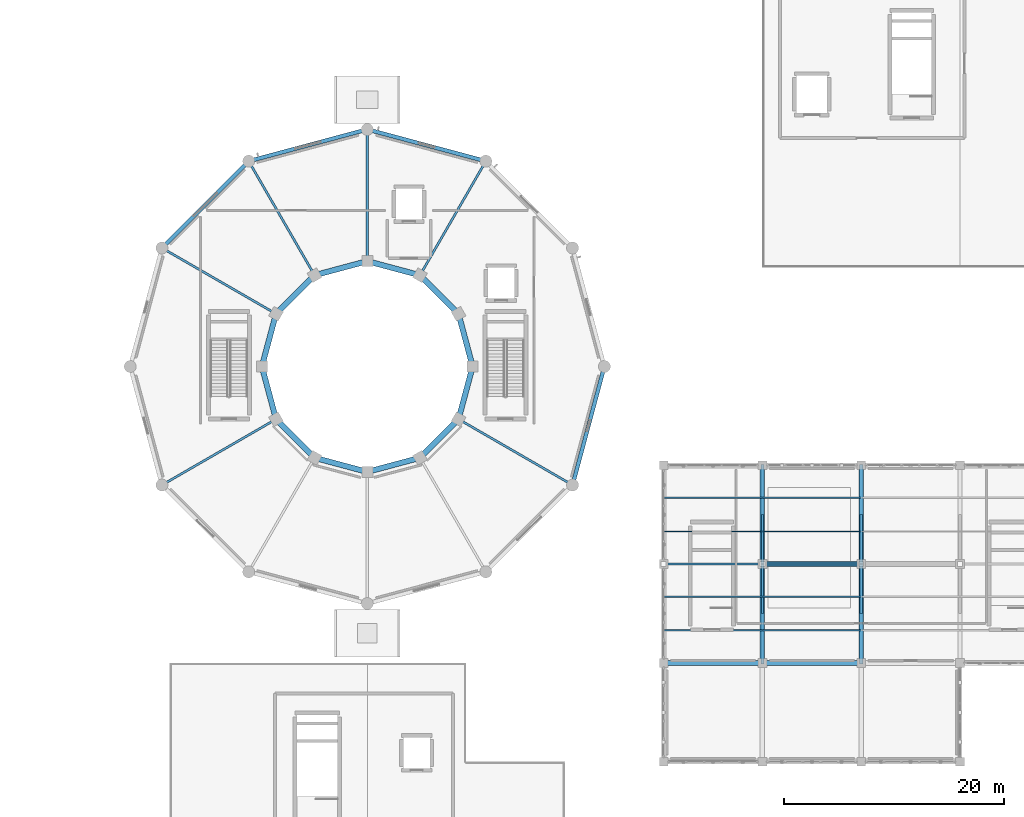
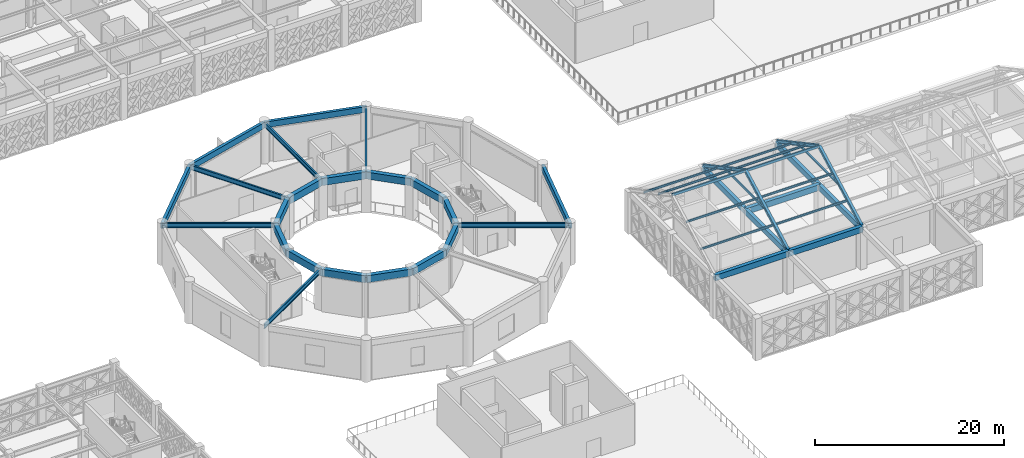
# One storey, part 27 of 86: 29 beams, 16 members.
"""IFC4 building model written with IfcOpenShell, lengths in metres."""

import ifcopenshell
import ifcopenshell.guid

model = None  # the IFC model being written
_history = None  # IfcOwnerHistory: only IFC2X3 demands one
_inside = {}  # id of a spatial element -> (the spatial element, [elements in it])
_under = {}  # id of a project, library or spatial element -> (it, [spatial elements below it])
_declared = {}  # id of a project -> (the project, [libraries it declares])
_typed = {}  # id of a type object -> (the type object, [elements of that type])
_made_of = {}  # id of a material, layer set ... -> (it, [elements and type objects made of it])


def new_model(schema):
    """Start an empty IFC model of exactly this schema.

    Asked for "IFC4X3", IfcOpenShell would pick the latest addendum, in which some entities
    have other attributes; the version numbers below select the first issue.
    IFC2X3 requires an IfcOwnerHistory on every rooted entity: one is made here for all.
    """
    global model, _history
    if schema == "IFC4X3":
        model = ifcopenshell.file(schema_version=(4, 3, 0, 0))
    else:
        model = ifcopenshell.file(schema=schema)
    _inside.clear()
    _under.clear()
    _declared.clear()
    _typed.clear()
    _made_of.clear()
    _history = None
    if model.schema == "IFC2X3":
        org = make("IfcOrganization", Name="unknown")
        user = make(
            "IfcPersonAndOrganization",
            ThePerson=make("IfcPerson", FamilyName="unknown"),
            TheOrganization=org,
        )
        app = make(
            "IfcApplication",
            ApplicationDeveloper=org,
            Version="unknown",
            ApplicationFullName="unknown",
            ApplicationIdentifier="unknown",
        )
        _history = make(
            "IfcOwnerHistory",
            OwningUser=user,
            OwningApplication=app,
            ChangeAction="ADDED",
            CreationDate=0,
        )
    return model


def make(cls, **values):
    """One entity of the class cls with the attributes given. An attribute that is None is left unset."""
    return model.create_entity(
        cls, **{name: value for name, value in values.items() if value is not None}
    )


def rooted(cls, **values):
    """An entity with a GlobalId (a new one), such as an element, a storey or a relation."""
    return make(cls, GlobalId=ifcopenshell.guid.new(), OwnerHistory=_history, **values)


def si_unit(unit_type, name, prefix=None):
    """IfcSIUnit, for example si_unit("LENGTHUNIT", "METRE", prefix="MILLI")."""
    return make("IfcSIUnit", UnitType=unit_type, Prefix=prefix, Name=name)


def assignment(units):
    """IfcUnitAssignment: the units of a project."""
    return None if units is None else make("IfcUnitAssignment", Units=units)


def point(xyz):
    """IfcCartesianPoint."""
    return None if xyz is None else make("IfcCartesianPoint", Coordinates=xyz)


def direction(xyz):
    """IfcDirection."""
    return None if xyz is None else make("IfcDirection", DirectionRatios=xyz)


def frame(location, z_axis=None, x_axis=None):
    """IfcAxis2Placement3D, a coordinate frame: its origin and axes. An axis left out is left unset."""
    return make(
        "IfcAxis2Placement3D",
        Location=point(location),
        Axis=direction(z_axis),
        RefDirection=direction(x_axis),
    )


def frame_2d(location, x_axis=None):
    """IfcAxis2Placement2D, a coordinate frame in the plane: its origin and x axis."""
    return make(
        "IfcAxis2Placement2D", Location=point(location), RefDirection=direction(x_axis)
    )


def origin():
    """The frame at (0, 0, 0) with its axes left unset."""
    return frame((0.0, 0.0, 0.0))


def origin_2d():
    """The frame at (0, 0) in the plane with its x axis left unset."""
    return frame_2d((0.0, 0.0))


def place(relative_to, where):
    """IfcLocalPlacement: puts the frame where relative to a parent placement (None: the world)."""
    return make(
        "IfcLocalPlacement", PlacementRelTo=relative_to, RelativePlacement=where
    )


def context(
    kind, dimensions, precision=None, world=None, true_north=None, identifier=None
):
    """IfcGeometricRepresentationContext, for example the 3D "Model" context."""
    return make(
        "IfcGeometricRepresentationContext",
        ContextIdentifier=identifier,
        ContextType=kind,
        CoordinateSpaceDimension=dimensions,
        Precision=precision,
        WorldCoordinateSystem=world,
        TrueNorth=true_north,
    )


def subcontext(parent, identifier, kind, view, scale=None):
    """IfcGeometricRepresentationSubContext, for example "Body" below "Model"."""
    return make(
        "IfcGeometricRepresentationSubContext",
        ContextIdentifier=identifier,
        ContextType=kind,
        ParentContext=parent,
        TargetScale=scale,
        TargetView=view,
    )


def project(units=None, contexts=None):
    """IfcProject with its units and contexts."""
    return rooted(
        "IfcProject",
        Name="project",
        RepresentationContexts=contexts,
        UnitsInContext=assignment(units),
    )


def spatial(cls, under=None, at=None, **own):
    """A site, building, storey or space (cls), placed at a placement, below another one or the project."""
    s = rooted(cls, ObjectPlacement=at, **own)
    if under is not None:
        _under.setdefault(under.id(), (under, []))[1].append(s)
    return s


def profile(cls, at=None, kind="AREA", **sizes):
    """A parametric profile (cls). Its sizes go by their IFC names, for example OverallWidth=200.0."""
    return make(cls, ProfileType=kind, Position=at, **sizes)


def rectangle(**sizes):
    """IfcRectangleProfileDef."""
    return profile("IfcRectangleProfileDef", **sizes)


def hollow_rectangle(**sizes):
    """IfcRectangleHollowProfileDef."""
    return profile("IfcRectangleHollowProfileDef", **sizes)


def i_section(**sizes):
    """IfcIShapeProfileDef."""
    return profile("IfcIShapeProfileDef", **sizes)


def extrude(swept, where, along, depth):
    """IfcExtrudedAreaSolid: the profile swept, set in the frame where, extruded along a direction by depth."""
    return make(
        "IfcExtrudedAreaSolid",
        SweptArea=swept,
        Position=where,
        ExtrudedDirection=direction(along),
        Depth=depth,
    )


def shape(context_of_items, identifier, shape_type, items):
    """IfcShapeRepresentation: the items that make up one representation, for example the "Body"."""
    return make(
        "IfcShapeRepresentation",
        ContextOfItems=context_of_items,
        RepresentationIdentifier=identifier,
        RepresentationType=shape_type,
        Items=items,
    )


def material(Name=None, Category=None):
    """IfcMaterial."""
    return make("IfcMaterial", Name=Name, Category=Category)


def material_profile(
    of_material, cross_section, Name=None, Category=None, Priority=None
):
    """IfcMaterialProfile: a cross section and its material."""
    return make(
        "IfcMaterialProfile",
        Name=Name,
        Material=of_material,
        Profile=cross_section,
        Priority=Priority,
        Category=Category,
    )


def profile_set(profiles, Name=None, composite=None):
    """IfcMaterialProfileSet."""
    return make(
        "IfcMaterialProfileSet",
        Name=Name,
        MaterialProfiles=profiles,
        CompositeProfile=composite,
    )


def made_of(thing, what):
    """Note that an element or type object is made of a material, layer set ...; save() writes the relation."""
    if what is not None:
        _made_of.setdefault(what.id(), (what, []))[1].append(thing)
    return thing


def type_object(cls, material=None, **own):
    """A type object (cls), such as IfcWallType, which elements share."""
    return made_of(rooted(cls, **own), material)


def element(
    cls,
    number,
    at=None,
    inside=None,
    cuts=None,
    type_object=None,
    material=None,
    context=None,
    identifier="Body",
    shape_type=None,
    held_by="IfcProductDefinitionShape",
    body=None,
    shapes=None,
    **own,
):
    """One element of the class cls, such as IfcWall. Its Tag is "e" and its number.

    at: its placement. inside: the storey or other place that contains it. cuts: it is an
    opening in that element (IfcRelVoidsElement). A single representation is given by context,
    identifier, shape_type and body (its items); several are given by shapes. held_by: the class
    of the entity that holds the representations. save() writes the other relations.
    """
    e = rooted(cls, Tag="e%d" % number, ObjectPlacement=at, **own)
    if body is not None:
        shapes = [shape(context, identifier, shape_type, body)]
    if shapes is not None:
        e.Representation = make(held_by, Representations=shapes)
    if inside is not None:
        _inside.setdefault(inside.id(), (inside, []))[1].append(e)
    if cuts is not None:
        rooted(
            "IfcRelVoidsElement", RelatingBuildingElement=cuts, RelatedOpeningElement=e
        )
    if type_object is not None:
        _typed.setdefault(type_object.id(), (type_object, []))[1].append(e)
    return made_of(e, material)


def aggregate(whole, parts):
    """IfcRelAggregates: a whole, such as a stair, and the parts it consists of."""
    return rooted("IfcRelAggregates", RelatingObject=whole, RelatedObjects=parts)


def save(model, path):
    """Write the relations noted so far, then the file.

    IfcRelAggregates (storeys below a building ...), IfcRelContainedInSpatialStructure (elements
    in a storey), IfcRelDefinesByType, IfcRelAssociatesMaterial and IfcRelDeclares: one each for
    every whole, place, type object, material and project.
    """
    for whole, parts in _under.values():
        aggregate(whole, parts)
    for where, things in _inside.values():
        rooted(
            "IfcRelContainedInSpatialStructure",
            RelatedElements=things,
            RelatingStructure=where,
        )
    for kind, things in _typed.values():
        rooted("IfcRelDefinesByType", RelatedObjects=things, RelatingType=kind)
    for what, things in _made_of.values():
        rooted("IfcRelAssociatesMaterial", RelatedObjects=things, RelatingMaterial=what)
    for by, libraries in _declared.values():
        rooted("IfcRelDeclares", RelatingContext=by, RelatedDefinitions=libraries)
    model.write(path)


model = new_model("IFC4")

# Units and contexts
model_context = context("Model", 3, precision=1e-05, world=origin(), true_north=direction((0.0, 1.0)))
body_context = subcontext(model_context, "Body", "Model", "MODEL_VIEW")
ifc_project = project(units=[si_unit("LENGTHUNIT", "METRE"), si_unit("AREAUNIT", "SQUARE_METRE"), si_unit("VOLUMEUNIT", "CUBIC_METRE"), si_unit("PLANEANGLEUNIT", "RADIAN"), si_unit("MASSUNIT", "GRAM", prefix="KILO")], contexts=[model_context])

# Site, building, storey
site_placement = place(None, origin())
site = spatial("IfcSite", under=ifc_project, at=site_placement, CompositionType="ELEMENT")
building_placement = place(site_placement, origin())
building = spatial("IfcBuilding", under=site, at=building_placement, Name="Haizhuo Lancet Aquarium", CompositionType="ELEMENT")
storey_placement = place(building_placement, frame((0.0, 0.0, 16.199951171875)))
storey = spatial("IfcBuildingStorey", under=building, at=storey_placement, Name="L03", CompositionType="ELEMENT", Elevation=16.199951171875)

# Beams
ifc_material_1 = material(Name="Concrete C40/50", Category="concrete")
ifc_material_profile_1 = material_profile(ifc_material_1, rectangle(XDim=0.39990234375, YDim=0.699951171875, at=origin_2d()), Name="RC-BM 400x700")
ifc_profile_set_1 = profile_set([ifc_material_profile_1], Name="Concrete C40/50")
beam_type_1 = type_object("IfcBeamType", Name="BM-RC-400x700", PredefinedType="BEAM", material=ifc_profile_set_1)
for number, where, z_axis, x_axis, name in (
    (1, (36.0, -27.0, 5.050048828125), (0.0, 1.0, 0.0), (-1.0, 0.0, 0.0), "L03 V3 primary girder BM-L03-V3-009"),
    (2, (36.0, -18.0, 5.050048828125), (0.0, 1.0, 0.0), (-1.0, 0.0, 0.0), "L03 V3 primary girder BM-L03-V3-011"),
    (3, (45.0, -27.0, 5.050048828125), (0.0, 1.0, 0.0), (-1.0, 0.0, 0.0), "L03 V3 primary girder BM-L03-V3-016"),
    (4, (45.0, -18.0, 5.050048828125), (0.0, 1.0, 0.0), (-1.0, 0.0, 0.0), "L03 V3 primary girder BM-L03-V3-018"),
):
    element("IfcBeam", number, at=place(storey_placement, frame(where, z_axis=z_axis, x_axis=x_axis)), inside=storey, type_object=beam_type_1, Name=name, PredefinedType="BEAM", context=body_context, shape_type="SweptSolid", body=[
        extrude(rectangle(XDim=0.39990234375, YDim=0.699951171875, at=origin_2d()), origin(), (0.0, 0.0, 1.0), 9.0),
    ])
ifc_material_profile_2 = material_profile(ifc_material_1, rectangle(XDim=0.449951171875, YDim=0.75, at=origin_2d()), Name="RC-BM 450x750")
ifc_profile_set_2 = profile_set([ifc_material_profile_2], Name="Concrete C40/50")
beam_type_2 = type_object("IfcBeamType", Name="BM-RC-450x750", PredefinedType="BEAM", material=ifc_profile_set_2)
for number, where, z_axis, x_axis, name in (
    (5, (27.0, -27.0, 5.025146484375), (1.0, 0.0, 0.0), (0.0, 1.0, 0.0), "L03 V3 primary girder BM-L03-V3-004"),
    (6, (36.0, -27.0, 5.025146484375), (1.0, 0.0, 0.0), (0.0, 1.0, 0.0), "L03 V3 primary girder BM-L03-V3-010"),
    (7, (36.0, -18.0, 5.025146484375), (1.0, 0.0, 0.0), (0.0, 1.0, 0.0), "L03 V3 primary girder BM-L03-V3-012"),
):
    element("IfcBeam", number, at=place(storey_placement, frame(where, z_axis=z_axis, x_axis=x_axis)), inside=storey, type_object=beam_type_2, Name=name, PredefinedType="BEAM", context=body_context, shape_type="SweptSolid", body=[
        extrude(rectangle(XDim=0.449951171875, YDim=0.75, at=origin_2d()), origin(), (0.0, 0.0, 1.0), 9.0),
    ])
ifc_material_profile_3 = material_profile(ifc_material_1, rectangle(XDim=0.5, YDim=0.89990234375, at=origin_2d()), Name="RC-BM 500x900")
ifc_profile_set_3 = profile_set([ifc_material_profile_3], Name="Concrete C40/50")
beam_type_3 = type_object("IfcBeamType", Name="BM-RC-500x900", PredefinedType="BEAM", material=ifc_profile_set_3)
for number, where, z_axis, x_axis, name in (
    (8, (9.60009765625, 0.0, 4.699951171875), (-0.258812211902, 0.965927657214, 0.0), (-0.965927657214, -0.258812211902, 0.0), "L03 tank ring beam 1"),
    (9, (8.31396484375, 4.800048828125, 4.699951171875), (-0.707106781187, 0.707106781187, 0.0), (-0.707106781187, -0.707106781187, 0.0), "L03 tank ring beam 2"),
    (10, (4.800048828125, 8.31396484375, 4.699951171875), (-0.965927657214, 0.258812211902, 0.0), (-0.258812211902, -0.965927657214, 0.0), "L03 tank ring beam 3"),
    (11, (0.0, 9.60009765625, 4.699951171875), (-0.965927657214, -0.258812211902, 0.0), (0.258812211902, -0.965927657214, 0.0), "L03 tank ring beam 4"),
    (12, (-4.800048828125, 8.31396484375, 4.699951171875), (-0.707106781187, -0.707106781187, 0.0), (0.707106781187, -0.707106781187, 0.0), "L03 tank ring beam 5"),
    (13, (-8.31396484375, 4.800048828125, 4.699951171875), (-0.258812211902, -0.965927657214, 0.0), (0.965927657214, -0.258812211902, 0.0), "L03 tank ring beam 6"),
    (14, (-9.60009765625, 0.0, 4.699951171875), (0.258812211902, -0.965927657214, 0.0), (0.965927657214, 0.258812211902, 0.0), "L03 tank ring beam 7"),
    (15, (-8.31396484375, -4.800048828125, 4.699951171875), (0.707106781187, -0.707106781187, 0.0), (0.707106781187, 0.707106781187, 0.0), "L03 tank ring beam 8"),
    (16, (-4.800048828125, -8.31396484375, 4.699951171875), (0.965927657214, -0.258812211902, 0.0), (0.258812211902, 0.965927657214, 0.0), "L03 tank ring beam 9"),
    (17, (0.0, -9.60009765625, 4.699951171875), (0.965927657214, 0.258812211902, 0.0), (-0.258812211902, 0.965927657214, 0.0), "L03 tank ring beam 10"),
    (18, (4.800048828125, -8.31396484375, 4.699951171875), (0.707106781187, 0.707106781187, 0.0), (-0.707106781187, 0.707106781187, 0.0), "L03 tank ring beam 11"),
    (19, (8.31396484375, -4.800048828125, 4.699951171875), (0.258812211902, 0.965927657214, 0.0), (-0.965927657214, 0.258812211902, 0.0), "L03 tank ring beam 12"),
):
    element("IfcBeam", number, at=place(storey_placement, frame(where, z_axis=z_axis, x_axis=x_axis)), inside=storey, type_object=beam_type_3, Name=name, PredefinedType="BEAM", context=body_context, shape_type="SweptSolid", body=[
        extrude(rectangle(XDim=0.5, YDim=0.89990234375, at=origin_2d()), origin(), (0.0, 0.0, 1.0), 4.969482421875),
    ])
ifc_material_2 = material(Name="Steel S355", Category="steel")
ifc_material_profile_4 = material_profile(ifc_material_2, i_section(OverallWidth=0.199951171875, OverallDepth=0.60009765625, WebThickness=0.010986328125, FlangeThickness=0.01708984375, FilletRadius=0.02197265625, at=origin_2d()), Name="HN 600x200x11x17")
ifc_profile_set_4 = profile_set([ifc_material_profile_4], Name="Steel S355")
beam_type_4 = type_object("IfcBeamType", Name="BM-ST-HN600", PredefinedType="BEAM", material=ifc_profile_set_4)
beam_1_placement = place(storey_placement, frame((4.800048828125, 8.31396484375, 4.85009765625), z_axis=(0.500007758305, 0.866020924479, 0.0), x_axis=(-0.866020924479, 0.500007758305, 0.0)))
element("IfcBeam", 20, at=beam_1_placement, inside=storey, type_object=beam_type_4, Name="L03 radial gallery girder 3", PredefinedType="BEAM", context=body_context, shape_type="SweptSolid", body=[
    extrude(i_section(OverallWidth=0.199951171875, OverallDepth=0.60009765625, WebThickness=0.010986328125, FlangeThickness=0.01708984375, FilletRadius=0.02197265625, at=origin_2d()), origin(), (0.0, 0.0, 1.0), 11.999755859375),
])
beam_2_placement = place(storey_placement, frame((0.0, 9.60009765625, 4.85009765625), z_axis=(0.0, 1.0, 0.0), x_axis=(-1.0, 0.0, 0.0)))
element("IfcBeam", 21, at=beam_2_placement, inside=storey, type_object=beam_type_4, Name="L03 radial gallery girder 4", PredefinedType="BEAM", context=body_context, shape_type="SweptSolid", body=[
    extrude(i_section(OverallWidth=0.199951171875, OverallDepth=0.60009765625, WebThickness=0.010986328125, FlangeThickness=0.01708984375, FilletRadius=0.02197265625, at=origin_2d()), origin(), (0.0, 0.0, 1.0), 12.0),
])
for number, where, z_axis, x_axis, name in (
    (22, (-4.800048828125, 8.31396484375, 4.85009765625), (-0.500007758305, 0.866020924479, 0.0), (-0.866020924479, -0.500007758305, 0.0), "L03 radial gallery girder 5"),
    (23, (-8.31396484375, 4.800048828125, 4.85009765625), (-0.866020924479, 0.500007758305, 0.0), (-0.500007758305, -0.866020924479, 0.0), "L03 radial gallery girder 6"),
    (24, (-8.31396484375, -4.800048828125, 4.85009765625), (-0.866020924479, -0.500007758305, 0.0), (0.500007758305, -0.866020924479, 0.0), "L03 radial gallery girder 8"),
    (25, (8.31396484375, -4.800048828125, 4.85009765625), (0.866020924479, -0.500007758305, 0.0), (0.500007758305, 0.866020924479, 0.0), "L03 radial gallery girder 12"),
):
    element("IfcBeam", number, at=place(storey_placement, frame(where, z_axis=z_axis, x_axis=x_axis)), inside=storey, type_object=beam_type_4, Name=name, PredefinedType="BEAM", context=body_context, shape_type="SweptSolid", body=[
        extrude(i_section(OverallWidth=0.199951171875, OverallDepth=0.60009765625, WebThickness=0.010986328125, FlangeThickness=0.01708984375, FilletRadius=0.02197265625, at=origin_2d()), origin(), (0.0, 0.0, 1.0), 11.999755859375),
    ])

# Members
ifc_material_profile_5 = material_profile(ifc_material_2, hollow_rectangle(XDim=0.159912109375, YDim=0.320068359375, WallThickness=0.010009765625, at=origin_2d()), Name="RHS 160x320x10")
ifc_profile_set_5 = profile_set([ifc_material_profile_5], Name="Steel S355")
member_type_1 = type_object("IfcMemberType", Name="MEM-CH-RHS160x320", PredefinedType="CHORD", material=ifc_profile_set_5)
for number, where, z_axis, x_axis, name in (
    (26, (27.0, -18.0, 10.216064453125), (1.0, 0.0, 0.0), (0.0, 1.0, 0.0), "V3 roof ridge chord 1"),
    (27, (36.0, -18.0, 10.216064453125), (1.0, 0.0, 0.0), (0.0, 1.0, 0.0), "V3 roof ridge chord 2"),
):
    element("IfcMember", number, at=place(storey_placement, frame(where, z_axis=z_axis, x_axis=x_axis)), inside=storey, type_object=member_type_1, Name=name, PredefinedType="CHORD", context=body_context, shape_type="SweptSolid", body=[
        extrude(hollow_rectangle(XDim=0.159912109375, YDim=0.320068359375, WallThickness=0.010009765625, at=origin_2d()), origin(), (0.0, 0.0, 1.0), 9.0),
    ])
ifc_material_profile_6 = material_profile(ifc_material_2, hollow_rectangle(XDim=0.14990234375, YDim=0.25, WallThickness=0.010009765625, at=origin_2d()), Name="RHS 150x250x10")
ifc_profile_set_6 = profile_set([ifc_material_profile_6], Name="Steel S355")
member_type_2 = type_object("IfcMemberType", Name="MEM-CL-RHS150x250", PredefinedType="COLLAR", material=ifc_profile_set_6)
member_1_placement = place(storey_placement, frame((36.0, -22.5, 7.79296875), z_axis=(0.0, 1.0, 0.0), x_axis=(-1.0, 0.0, 0.0)))
element("IfcMember", 28, at=member_1_placement, inside=storey, type_object=member_type_2, Name="V3 Gothic roof collar tie 2", PredefinedType="COLLAR", context=body_context, shape_type="SweptSolid", body=[
    extrude(hollow_rectangle(XDim=0.14990234375, YDim=0.25, WallThickness=0.010009765625, at=origin_2d()), origin(), (0.0, 0.0, 1.0), 9.0),
])
ifc_material_profile_7 = material_profile(ifc_material_2, hollow_rectangle(XDim=0.199951171875, YDim=0.199951171875, WallThickness=0.010009765625, at=origin_2d()), Name="SHS 200x200x10")
ifc_profile_set_7 = profile_set([ifc_material_profile_7], Name="Steel S355")
member_type_3 = type_object("IfcMemberType", Name="MEM-CL-SHS200", PredefinedType="COLLAR", material=ifc_profile_set_7)
member_2_placement = place(storey_placement, frame((45.0, -22.5, 7.79296875), z_axis=(0.0, 1.0, 0.0), x_axis=(-1.0, 0.0, 0.0)))
element("IfcMember", 29, at=member_2_placement, inside=storey, type_object=member_type_3, Name="V3 Gothic roof collar tie 3", PredefinedType="COLLAR", context=body_context, shape_type="SweptSolid", body=[
    extrude(hollow_rectangle(XDim=0.199951171875, YDim=0.199951171875, WallThickness=0.010009765625, at=origin_2d()), origin(), (0.0, 0.0, 1.0), 9.0),
])
ifc_material_profile_8 = material_profile(ifc_material_2, i_section(OverallWidth=0.125, OverallDepth=0.25, WebThickness=0.006103515625, FlangeThickness=0.009033203125, FilletRadius=0.010009765625, at=origin_2d()), Name="HN 250x125x6x9")
ifc_profile_set_8 = profile_set([ifc_material_profile_8], Name="Steel S355")
member_type_4 = type_object("IfcMemberType", Name="MEM-PR-HN250", PredefinedType="PURLIN", material=ifc_profile_set_8)
for number, where, z_axis, x_axis, name in (
    (30, (27.0, -24.030029296875, 6.859130859375), (1.0, 0.0, 0.0), (0.0, 1.0, 0.0), "V3 south roof purlin 1"),
    (31, (27.0, -11.969970703125, 6.859130859375), (1.0, 0.0, 0.0), (0.0, 1.0, 0.0), "V3 north roof purlin 1"),
    (32, (27.0, -20.969970703125, 8.507080078125), (1.0, 0.0, 0.0), (0.0, 1.0, 0.0), "V3 south roof purlin 1"),
    (33, (27.0, -15.030029296875, 8.507080078125), (1.0, 0.0, 0.0), (0.0, 1.0, 0.0), "V3 north roof purlin 1"),
    (34, (36.0, -24.030029296875, 6.859130859375), (1.0, 0.0, 0.0), (0.0, 1.0, 0.0), "V3 south roof purlin 2"),
    (35, (36.0, -11.969970703125, 6.859130859375), (1.0, 0.0, 0.0), (0.0, 1.0, 0.0), "V3 north roof purlin 2"),
    (36, (36.0, -20.969970703125, 8.507080078125), (1.0, 0.0, 0.0), (0.0, 1.0, 0.0), "V3 south roof purlin 2"),
    (37, (36.0, -15.030029296875, 8.507080078125), (1.0, 0.0, 0.0), (0.0, 1.0, 0.0), "V3 north roof purlin 2"),
):
    element("IfcMember", number, at=place(storey_placement, frame(where, z_axis=z_axis, x_axis=x_axis)), inside=storey, type_object=member_type_4, Name=name, PredefinedType="PURLIN", context=body_context, shape_type="SweptSolid", body=[
        extrude(i_section(OverallWidth=0.125, OverallDepth=0.25, WebThickness=0.006103515625, FlangeThickness=0.009033203125, FilletRadius=0.010009765625, at=origin_2d()), origin(), (0.0, 0.0, 1.0), 9.0),
    ])
ifc_material_profile_9 = material_profile(ifc_material_2, i_section(OverallWidth=0.300048828125, OverallDepth=0.389892578125, WebThickness=0.010009765625, FlangeThickness=0.01611328125, FilletRadius=0.02001953125, at=origin_2d()), Name="HM 390x300x10x16")
ifc_profile_set_9 = profile_set([ifc_material_profile_9], Name="Steel S355")
member_type_5 = type_object("IfcMemberType", Name="MEM-RF-HM390", PredefinedType="RAFTER", material=ifc_profile_set_9)
for number, where, z_axis, x_axis, name in (
    (38, (36.0, -27.0, 5.3701171875), (0.0, 0.880479536064, 0.474084155581), (-1.0, 0.0, 0.0), "V3 Gothic pitched roof south rafter 2"),
    (39, (36.0, -9.0, 5.3701171875), (0.0, -0.880479536064, 0.474084155581), (1.0, 0.0, 0.0), "V3 Gothic pitched roof north rafter 2"),
    (40, (45.0, -27.0, 5.3701171875), (0.0, 0.880479536064, 0.474084155581), (-1.0, 0.0, 0.0), "V3 Gothic pitched roof south rafter 3"),
    (41, (45.0, -9.0, 5.3701171875), (0.0, -0.880479536064, 0.474084155581), (1.0, 0.0, 0.0), "V3 Gothic pitched roof north rafter 3"),
):
    element("IfcMember", number, at=place(storey_placement, frame(where, z_axis=z_axis, x_axis=x_axis)), inside=storey, type_object=member_type_5, Name=name, PredefinedType="RAFTER", context=body_context, shape_type="SweptSolid", body=[
        extrude(i_section(OverallWidth=0.300048828125, OverallDepth=0.389892578125, WebThickness=0.010009765625, FlangeThickness=0.01611328125, FilletRadius=0.02001953125, at=origin_2d()), origin(), (0.0, 0.0, 1.0), 10.2216796875),
    ])

# Beams
ifc_material_profile_10 = material_profile(ifc_material_1, rectangle(XDim=0.35009765625, YDim=0.75, at=origin_2d()), Name="RC-SP 350x750")
ifc_profile_set_10 = profile_set([ifc_material_profile_10], Name="Concrete C40/50")
beam_type_5 = type_object("IfcBeamType", Name="SPN-RC-350x750", PredefinedType="SPANDREL", material=ifc_profile_set_10)
for number, where, z_axis, x_axis, name in (
    (42, (10.800048828125, 18.7060546875, 4.775146484375), (-0.965921832664, 0.258833949056, 0.0), (-0.258833949056, -0.965921832664, 0.0), "L03 drum perimeter spandrel 3"),
    (43, (0.0, 21.60009765625, 4.775146484375), (-0.965921832664, -0.258833949056, 0.0), (0.258833949056, -0.965921832664, 0.0), "L03 drum perimeter spandrel 4"),
):
    element("IfcBeam", number, at=place(storey_placement, frame(where, z_axis=z_axis, x_axis=x_axis)), inside=storey, type_object=beam_type_5, Name=name, PredefinedType="SPANDREL", context=body_context, shape_type="SweptSolid", body=[
        extrude(rectangle(XDim=0.35009765625, YDim=0.75, at=origin_2d()), origin(), (0.0, 0.0, 1.0), 11.18115234375),
    ])
beam_3_placement = place(storey_placement, frame((-10.800048828125, 18.7060546875, 4.775146484375), z_axis=(-0.707106781187, -0.707106781187, 0.0), x_axis=(0.707106781187, -0.707106781187, 0.0)))
element("IfcBeam", 44, at=beam_3_placement, inside=storey, type_object=beam_type_5, Name="L03 drum perimeter spandrel 5", PredefinedType="SPANDREL", context=body_context, shape_type="SweptSolid", body=[
    extrude(rectangle(XDim=0.35009765625, YDim=0.75, at=origin_2d()), origin(), (0.0, 0.0, 1.0), 11.1806640625),
])
beam_4_placement = place(storey_placement, frame((18.7060546875, -10.800048828125, 4.775146484375), z_axis=(0.258833949056, 0.965921832664, 0.0), x_axis=(-0.965921832664, 0.258833949056, 0.0)))
element("IfcBeam", 45, at=beam_4_placement, inside=storey, type_object=beam_type_5, Name="L03 drum perimeter spandrel 12", PredefinedType="SPANDREL", context=body_context, shape_type="SweptSolid", body=[
    extrude(rectangle(XDim=0.35009765625, YDim=0.75, at=origin_2d()), origin(), (0.0, 0.0, 1.0), 11.18115234375),
])

save(model, "model.ifc")
